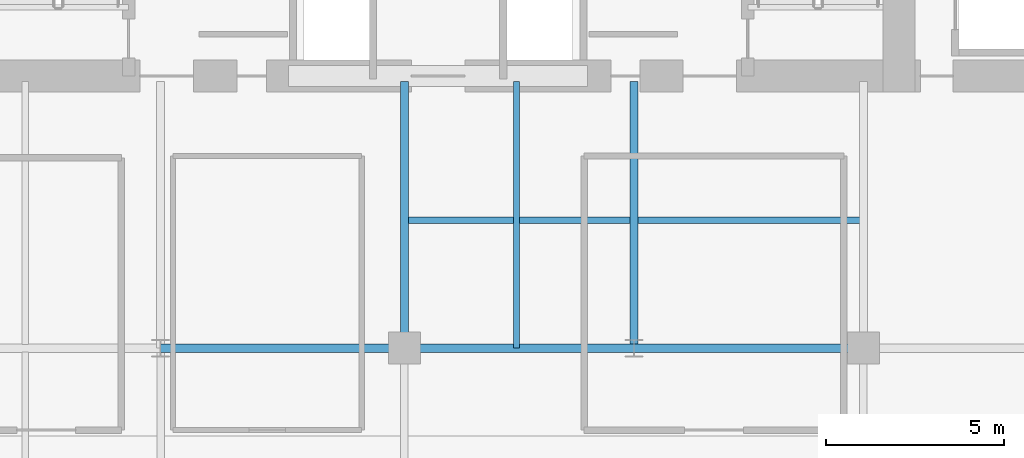
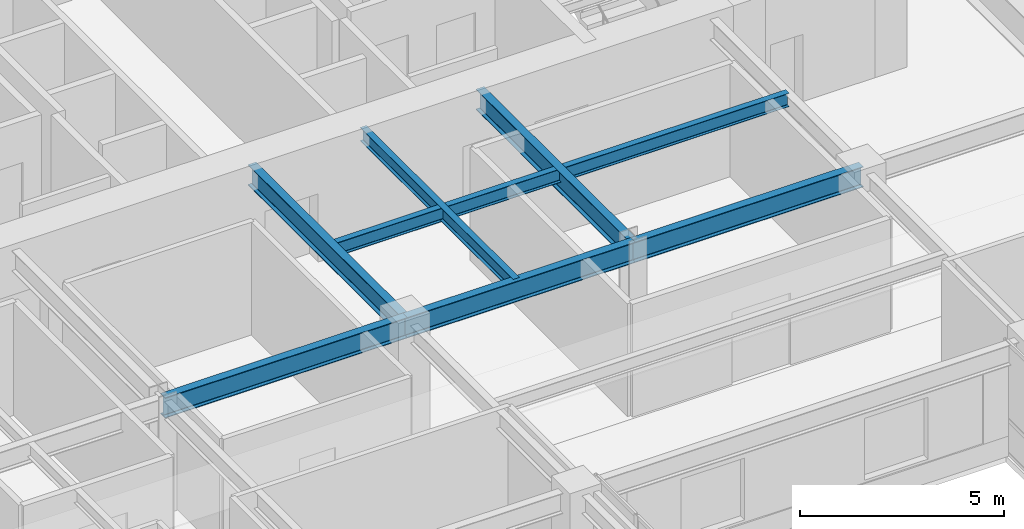
# One storey, part 6 of 24: 7 beams.
"""IFC4 building model written with IfcOpenShell, lengths in metres."""

from ifc_helpers import new_model, si_unit, direction, frame, origin, origin_2d, place, context, subcontext, project, spatial, i_section, extrude, source, transform, mapped, material, material_profile, profile_set, type_object, type_shapes, element, save


model = new_model("IFC4")

# Units and contexts
model_context = context("Model", 3, precision=1e-05, world=origin(), true_north=direction((0.0, 1.0)))
body_context = subcontext(model_context, "Body", "Model", "MODEL_VIEW")
ifc_project = project(units=[si_unit("LENGTHUNIT", "METRE"), si_unit("AREAUNIT", "SQUARE_METRE"), si_unit("VOLUMEUNIT", "CUBIC_METRE"), si_unit("PLANEANGLEUNIT", "RADIAN"), si_unit("MASSUNIT", "GRAM", prefix="KILO")], contexts=[model_context])

# Site, building, storey
site_placement = place(None, origin())
site = spatial("IfcSite", under=ifc_project, at=site_placement, CompositionType="ELEMENT")
building_placement = place(site_placement, origin())
building = spatial("IfcBuilding", under=site, at=building_placement, Name="Tolvann Quenvar Hotel", CompositionType="ELEMENT")
storey_placement = place(building_placement, frame((0.0, 0.0, 81.699951171875)))
storey = spatial("IfcBuildingStorey", under=building, at=storey_placement, Name="L20", CompositionType="ELEMENT", Elevation=81.699951171875)

# Beams
ifc_material = material(Name="Steel Grade 350", Category="steel")
ifc_material_profile_1 = material_profile(ifc_material, i_section(OverallWidth=0.22900390625, OverallDepth=0.612060546875, WebThickness=0.011962890625, FlangeThickness=0.01953125, FilletRadius=0.013916015625, at=origin_2d()), Name="610UB125")
ifc_profile_set_1 = profile_set([ifc_material_profile_1], Name="Steel Grade 350")
beam_type_1 = type_object("IfcBeamType", Name="BM_GIRD_610UB125", PredefinedType="BEAM", material=ifc_profile_set_1)
shared_shape_1 = source(origin(), body_context, "Body", "SweptSolid", [
    extrude(i_section(OverallWidth=0.22900390625, OverallDepth=0.612060546875, WebThickness=0.011962890625, FlangeThickness=0.01953125, FilletRadius=0.013916015625, at=origin_2d()), origin(), (0.0, 0.0, 1.0), 6.85009765625),
])
beam_1_placement = place(storey_placement, frame((15.199951171875, 24.39990234375, 3.06396484375), z_axis=(1.0, 0.0, 0.0), x_axis=(0.0, 1.0, 0.0)))
element("IfcBeam", 1, at=beam_1_placement, inside=storey, type_object=beam_type_1, Name="BM-L20-EW-5-D5-E5", PredefinedType="BEAM", context=body_context, shape_type="MappedRepresentation", body=[
    mapped(shared_shape_1, transform((0.0, 0.0, 0.0), x_axis=(1.0, 0.0, 0.0), y_axis=(0.0, 1.0, 0.0), z_axis=(0.0, 0.0, 1.0), scale=1.0)),
])
shared_shape_2 = source(origin(), body_context, "Body", "SweptSolid", [
    extrude(i_section(OverallWidth=0.22900390625, OverallDepth=0.612060546875, WebThickness=0.011962890625, FlangeThickness=0.01953125, FilletRadius=0.013916015625, at=origin_2d()), origin(), (0.0, 0.0, 1.0), 6.449951171875),
])
for number, where, z_axis, x_axis, name in (
    (2, (22.050048828125, 24.39990234375, 3.06396484375), (1.0, 0.0, 0.0), (0.0, 1.0, 0.0), "BM-L20-EW-5-E5-M5"),
    (3, (28.5, 24.39990234375, 3.06396484375), (1.0, 0.0, 0.0), (0.0, 1.0, 0.0), "BM-L20-EW-5-M5-F5"),
):
    element("IfcBeam", number, at=place(storey_placement, frame(where, z_axis=z_axis, x_axis=x_axis)), inside=storey, type_object=beam_type_1, Name=name, PredefinedType="BEAM", context=body_context, shape_type="MappedRepresentation", body=[
        mapped(shared_shape_2, transform((0.0, 0.0, 0.0), x_axis=(1.0, 0.0, 0.0), y_axis=(0.0, 1.0, 0.0), z_axis=(0.0, 0.0, 1.0), scale=1.0)),
    ])
shared_shape_3 = source(origin(), body_context, "Body", "SweptSolid", [
    extrude(i_section(OverallWidth=0.22900390625, OverallDepth=0.612060546875, WebThickness=0.011962890625, FlangeThickness=0.01953125, FilletRadius=0.013916015625, at=origin_2d()), origin(), (0.0, 0.0, 1.0), 7.5),
])
type_shapes(beam_type_1, [shared_shape_1, shared_shape_2, shared_shape_3])
for number, where, z_axis, x_axis, name in (
    (4, (22.050048828125, 24.39990234375, 3.06396484375), (0.0, 1.0, 0.0), (-1.0, 0.0, 0.0), "BM-L20-CORE-E5"),
    (5, (28.5, 24.39990234375, 3.06396484375), (0.0, 1.0, 0.0), (-1.0, 0.0, 0.0), "BM-L20-CORE-M5"),
):
    element("IfcBeam", number, at=place(storey_placement, frame(where, z_axis=z_axis, x_axis=x_axis)), inside=storey, type_object=beam_type_1, Name=name, PredefinedType="BEAM", context=body_context, shape_type="MappedRepresentation", body=[
        mapped(shared_shape_3, transform((0.0, 0.0, 0.0), x_axis=(1.0, 0.0, 0.0), y_axis=(0.0, 1.0, 0.0), z_axis=(0.0, 0.0, 1.0), scale=1.0)),
    ])
ifc_material_profile_2 = material_profile(ifc_material, i_section(OverallWidth=0.177978515625, OverallDepth=0.406005859375, WebThickness=0.0078125, FlangeThickness=0.0126953125, FilletRadius=0.011474609375, at=origin_2d()), Name="410UB60")
ifc_profile_set_2 = profile_set([ifc_material_profile_2], Name="Steel Grade 350")
beam_type_2 = type_object("IfcBeamType", Name="BM_JOIST_410UB60", PredefinedType="JOIST", material=ifc_profile_set_2)
shared_shape_4 = source(origin(), body_context, "Body", "SweptSolid", [
    extrude(i_section(OverallWidth=0.177978515625, OverallDepth=0.406005859375, WebThickness=0.0078125, FlangeThickness=0.0126953125, FilletRadius=0.011474609375, at=origin_2d()), origin(), (0.0, 0.0, 1.0), 12.89990234375),
])
beam_2_placement = place(storey_placement, frame((22.050048828125, 28.0, 3.1669921875), z_axis=(1.0, 0.0, 0.0), x_axis=(0.0, 1.0, 0.0)))
element("IfcBeam", 6, at=beam_2_placement, inside=storey, type_object=beam_type_2, Name="BM-L20-SPINE-28", PredefinedType="JOIST", context=body_context, shape_type="MappedRepresentation", body=[
    mapped(shared_shape_4, transform((0.0, 0.0, 0.0), x_axis=(1.0, 0.0, 0.0), y_axis=(0.0, 1.0, 0.0), z_axis=(0.0, 0.0, 1.0), scale=1.0)),
])
shared_shape_5 = source(origin(), body_context, "Body", "SweptSolid", [
    extrude(i_section(OverallWidth=0.177978515625, OverallDepth=0.406005859375, WebThickness=0.0078125, FlangeThickness=0.0126953125, FilletRadius=0.011474609375, at=origin_2d()), origin(), (0.0, 0.0, 1.0), 7.5),
])
type_shapes(beam_type_2, [shared_shape_4, shared_shape_5])
beam_3_placement = place(storey_placement, frame((25.199951171875, 24.39990234375, 3.1669921875), z_axis=(0.0, 1.0, 0.0), x_axis=(-1.0, 0.0, 0.0)))
element("IfcBeam", 7, at=beam_3_placement, inside=storey, type_object=beam_type_2, Name="BJ-L20-252-244", PredefinedType="JOIST", context=body_context, shape_type="MappedRepresentation", body=[
    mapped(shared_shape_5, transform((0.0, 0.0, 0.0), x_axis=(1.0, 0.0, 0.0), y_axis=(0.0, 1.0, 0.0), z_axis=(0.0, 0.0, 1.0), scale=1.0)),
])

save(model, "model.ifc")
